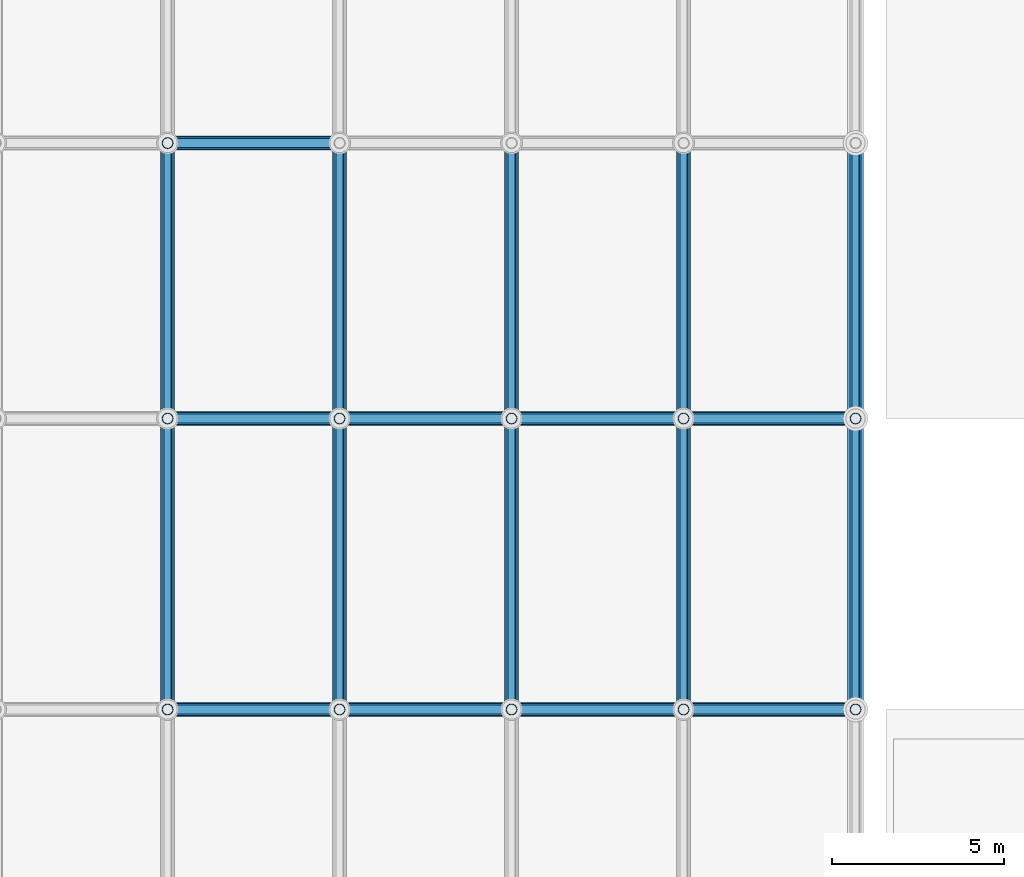
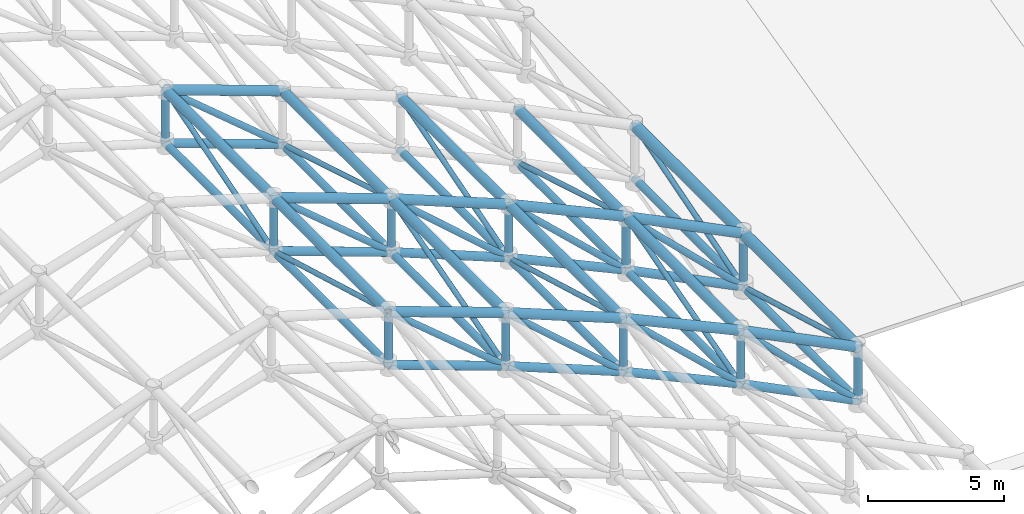
# One storey, part 7 of 11: 68 members.
"""IFC4 building model written with IfcOpenShell, lengths in metres."""

from ifc_helpers import new_model, si_unit, direction, frame, origin, origin_2d, place, context, subcontext, project, spatial, hollow_circle, extrude, material, material_profile, profile_set, type_object, element, save


model = new_model("IFC4")

# Units and contexts
model_context = context("Model", 3, precision=1e-05, world=origin(), true_north=direction((0.0, 1.0)))
body_context = subcontext(model_context, "Body", "Model", "MODEL_VIEW")
ifc_project = project(units=[si_unit("LENGTHUNIT", "METRE"), si_unit("AREAUNIT", "SQUARE_METRE"), si_unit("VOLUMEUNIT", "CUBIC_METRE"), si_unit("PLANEANGLEUNIT", "RADIAN"), si_unit("MASSUNIT", "GRAM", prefix="KILO")], contexts=[model_context])

# Site, building, storey
site_placement = place(None, origin())
site = spatial("IfcSite", under=ifc_project, at=site_placement, CompositionType="ELEMENT")
building_placement = place(site_placement, origin())
building = spatial("IfcBuilding", under=site, at=building_placement, Name="Kazehara Bluff Congress Hotel", CompositionType="ELEMENT")
storey_placement = place(building_placement, frame((0.0, 0.0, 50.39990234375)))
storey = spatial("IfcBuildingStorey", under=building, at=storey_placement, Name="RF", CompositionType="ELEMENT", Elevation=50.39990234375)

# Members
ifc_material_1 = material(Name="Steel STK490", Category="steel")
ifc_material_profile_1 = material_profile(ifc_material_1, hollow_circle(Radius=0.177734375, WallThickness=0.0126953125, at=origin_2d()))
ifc_profile_set_1 = profile_set([ifc_material_profile_1], Name="Steel STK490")
member_type_1 = type_object("IfcMemberType", Name="TP-SF-BC1", PredefinedType="CHORD", material=ifc_profile_set_1)
member_1_placement = place(storey_placement, frame((38.3701171875, 72.449951171875, -22.0), z_axis=(0.940788303939, 0.0, -0.338994641803), x_axis=(0.0, 1.0, 0.0)))
element("IfcMember", 1, at=member_1_placement, inside=storey, type_object=member_type_1, Name="Congress roof space frame bottom arch chord 74", PredefinedType="CHORD", context=body_context, shape_type="SweptSolid", body=[
    extrude(hollow_circle(Radius=0.177734375, WallThickness=0.0126953125, at=origin_2d()), origin(), (0.0, 0.0, 1.0), 5.309326171875),
])
member_2_placement = place(storey_placement, frame((43.364990234375, 72.449951171875, -23.7998046875), z_axis=(0.928351468575, 0.0, -0.371703579207), x_axis=(0.0, 1.0, 0.0)))
element("IfcMember", 2, at=member_2_placement, inside=storey, type_object=member_type_1, Name="Congress roof space frame bottom arch chord 76", PredefinedType="CHORD", context=body_context, shape_type="SweptSolid", body=[
    extrude(hollow_circle(Radius=0.177734375, WallThickness=0.0126953125, at=origin_2d()), origin(), (0.0, 0.0, 1.0), 5.380615234375),
])
member_3_placement = place(storey_placement, frame((48.360107421875, 72.449951171875, -25.7998046875), z_axis=(0.908324180475, 0.0, -0.41826688031), x_axis=(0.0, 1.0, 0.0)))
element("IfcMember", 3, at=member_3_placement, inside=storey, type_object=member_type_1, Name="Congress roof space frame bottom arch chord 78", PredefinedType="CHORD", context=body_context, shape_type="SweptSolid", body=[
    extrude(hollow_circle(Radius=0.177734375, WallThickness=0.0126953125, at=origin_2d()), origin(), (0.0, 0.0, 1.0), 5.4990234375),
])
member_4_placement = place(storey_placement, frame((53.35498046875, 72.449951171875, -28.099853515625), z_axis=(0.894252293271, 0.0, -0.447563220093), x_axis=(0.0, 1.0, 0.0)))
element("IfcMember", 4, at=member_4_placement, inside=storey, type_object=member_type_1, Name="Congress roof space frame bottom arch chord 80", PredefinedType="CHORD", context=body_context, shape_type="SweptSolid", body=[
    extrude(hollow_circle(Radius=0.177734375, WallThickness=0.0126953125, at=origin_2d()), origin(), (0.0, 0.0, 1.0), 5.585693359375),
])
member_5_placement = place(storey_placement, frame((38.3701171875, 80.89990234375, -22.0), z_axis=(0.940788303939, 0.0, -0.338994641803), x_axis=(0.0, 1.0, 0.0)))
element("IfcMember", 5, at=member_5_placement, inside=storey, type_object=member_type_1, Name="Congress roof space frame bottom arch chord 94", PredefinedType="CHORD", context=body_context, shape_type="SweptSolid", body=[
    extrude(hollow_circle(Radius=0.177734375, WallThickness=0.0126953125, at=origin_2d()), origin(), (0.0, 0.0, 1.0), 5.309326171875),
])
member_6_placement = place(storey_placement, frame((43.364990234375, 80.89990234375, -23.7998046875), z_axis=(0.928351468575, 0.0, -0.371703579207), x_axis=(0.0, 1.0, 0.0)))
element("IfcMember", 6, at=member_6_placement, inside=storey, type_object=member_type_1, Name="Congress roof space frame bottom arch chord 96", PredefinedType="CHORD", context=body_context, shape_type="SweptSolid", body=[
    extrude(hollow_circle(Radius=0.177734375, WallThickness=0.0126953125, at=origin_2d()), origin(), (0.0, 0.0, 1.0), 5.380615234375),
])
member_7_placement = place(storey_placement, frame((48.360107421875, 80.89990234375, -25.7998046875), z_axis=(0.908324180475, 0.0, -0.41826688031), x_axis=(0.0, 1.0, 0.0)))
element("IfcMember", 7, at=member_7_placement, inside=storey, type_object=member_type_1, Name="Congress roof space frame bottom arch chord 98", PredefinedType="CHORD", context=body_context, shape_type="SweptSolid", body=[
    extrude(hollow_circle(Radius=0.177734375, WallThickness=0.0126953125, at=origin_2d()), origin(), (0.0, 0.0, 1.0), 5.4990234375),
])
member_8_placement = place(storey_placement, frame((53.35498046875, 80.89990234375, -28.099853515625), z_axis=(0.894252293271, 0.0, -0.447563220093), x_axis=(0.0, 1.0, 0.0)))
element("IfcMember", 8, at=member_8_placement, inside=storey, type_object=member_type_1, Name="Congress roof space frame bottom arch chord 100", PredefinedType="CHORD", context=body_context, shape_type="SweptSolid", body=[
    extrude(hollow_circle(Radius=0.177734375, WallThickness=0.0126953125, at=origin_2d()), origin(), (0.0, 0.0, 1.0), 5.585693359375),
])
member_9_placement = place(storey_placement, frame((38.3701171875, 88.89990234375, -22.0), z_axis=(0.940788303939, 0.0, -0.338994641803), x_axis=(0.0, 1.0, 0.0)))
element("IfcMember", 9, at=member_9_placement, inside=storey, type_object=member_type_1, Name="Congress roof space frame bottom arch chord 114", PredefinedType="CHORD", context=body_context, shape_type="SweptSolid", body=[
    extrude(hollow_circle(Radius=0.177734375, WallThickness=0.0126953125, at=origin_2d()), origin(), (0.0, 0.0, 1.0), 5.309326171875),
])
ifc_material_2 = material(Name="Steel STK490", Category="steel")
ifc_material_profile_2 = material_profile(ifc_material_2, hollow_circle(Radius=0.1591796875, WallThickness=0.01025390625, at=origin_2d()))
ifc_profile_set_2 = profile_set([ifc_material_profile_2], Name="Steel STK490")
member_type_2 = type_object("IfcMemberType", Name="TP-SF-BC2", PredefinedType="CHORD", material=ifc_profile_set_2)
member_10_placement = place(storey_placement, frame((38.3701171875, 72.449951171875, -22.0), z_axis=(0.0, 1.0, 0.0), x_axis=(-1.0, 0.0, 0.0)))
element("IfcMember", 10, at=member_10_placement, inside=storey, type_object=member_type_2, Name="Congress roof space frame bottom longitudinal chord 284", PredefinedType="CHORD", context=body_context, shape_type="SweptSolid", body=[
    extrude(hollow_circle(Radius=0.1591796875, WallThickness=0.01025390625, at=origin_2d()), origin(), (0.0, 0.0, 1.0), 8.449951171875),
])
member_11_placement = place(storey_placement, frame((38.3701171875, 80.89990234375, -22.0), z_axis=(0.0, 1.0, 0.0), x_axis=(-1.0, 0.0, 0.0)))
element("IfcMember", 11, at=member_11_placement, inside=storey, type_object=member_type_2, Name="Congress roof space frame bottom longitudinal chord 286", PredefinedType="CHORD", context=body_context, shape_type="SweptSolid", body=[
    extrude(hollow_circle(Radius=0.1591796875, WallThickness=0.01025390625, at=origin_2d()), origin(), (0.0, 0.0, 1.0), 8.0),
])
member_12_placement = place(storey_placement, frame((43.364990234375, 72.449951171875, -23.7998046875), z_axis=(0.0, 1.0, 0.0), x_axis=(-1.0, 0.0, 0.0)))
element("IfcMember", 12, at=member_12_placement, inside=storey, type_object=member_type_2, Name="Congress roof space frame bottom longitudinal chord 300", PredefinedType="CHORD", context=body_context, shape_type="SweptSolid", body=[
    extrude(hollow_circle(Radius=0.1591796875, WallThickness=0.01025390625, at=origin_2d()), origin(), (0.0, 0.0, 1.0), 8.449951171875),
])
member_13_placement = place(storey_placement, frame((43.364990234375, 80.89990234375, -23.7998046875), z_axis=(0.0, 1.0, 0.0), x_axis=(-1.0, 0.0, 0.0)))
element("IfcMember", 13, at=member_13_placement, inside=storey, type_object=member_type_2, Name="Congress roof space frame bottom longitudinal chord 302", PredefinedType="CHORD", context=body_context, shape_type="SweptSolid", body=[
    extrude(hollow_circle(Radius=0.1591796875, WallThickness=0.01025390625, at=origin_2d()), origin(), (0.0, 0.0, 1.0), 8.0),
])
member_14_placement = place(storey_placement, frame((48.360107421875, 72.449951171875, -25.7998046875), z_axis=(0.0, 1.0, 0.0), x_axis=(-1.0, 0.0, 0.0)))
element("IfcMember", 14, at=member_14_placement, inside=storey, type_object=member_type_2, Name="Congress roof space frame bottom longitudinal chord 316", PredefinedType="CHORD", context=body_context, shape_type="SweptSolid", body=[
    extrude(hollow_circle(Radius=0.1591796875, WallThickness=0.01025390625, at=origin_2d()), origin(), (0.0, 0.0, 1.0), 8.449951171875),
])
member_15_placement = place(storey_placement, frame((48.360107421875, 80.89990234375, -25.7998046875), z_axis=(0.0, 1.0, 0.0), x_axis=(-1.0, 0.0, 0.0)))
element("IfcMember", 15, at=member_15_placement, inside=storey, type_object=member_type_2, Name="Congress roof space frame bottom longitudinal chord 318", PredefinedType="CHORD", context=body_context, shape_type="SweptSolid", body=[
    extrude(hollow_circle(Radius=0.1591796875, WallThickness=0.01025390625, at=origin_2d()), origin(), (0.0, 0.0, 1.0), 8.0),
])
member_16_placement = place(storey_placement, frame((53.35498046875, 72.449951171875, -28.099853515625), z_axis=(0.0, 1.0, 0.0), x_axis=(-1.0, 0.0, 0.0)))
element("IfcMember", 16, at=member_16_placement, inside=storey, type_object=member_type_2, Name="Congress roof space frame bottom longitudinal chord 332", PredefinedType="CHORD", context=body_context, shape_type="SweptSolid", body=[
    extrude(hollow_circle(Radius=0.1591796875, WallThickness=0.01025390625, at=origin_2d()), origin(), (0.0, 0.0, 1.0), 8.449951171875),
])
member_17_placement = place(storey_placement, frame((53.35498046875, 80.89990234375, -28.099853515625), z_axis=(0.0, 1.0, 0.0), x_axis=(-1.0, 0.0, 0.0)))
element("IfcMember", 17, at=member_17_placement, inside=storey, type_object=member_type_2, Name="Congress roof space frame bottom longitudinal chord 334", PredefinedType="CHORD", context=body_context, shape_type="SweptSolid", body=[
    extrude(hollow_circle(Radius=0.1591796875, WallThickness=0.01025390625, at=origin_2d()), origin(), (0.0, 0.0, 1.0), 8.0),
])
member_18_placement = place(storey_placement, frame((58.35009765625, 72.449951171875, -30.599853515625), z_axis=(0.0, 1.0, 0.0), x_axis=(-1.0, 0.0, 0.0)))
element("IfcMember", 18, at=member_18_placement, inside=storey, type_object=member_type_2, Name="Congress roof space frame bottom longitudinal chord 348", PredefinedType="CHORD", context=body_context, shape_type="SweptSolid", body=[
    extrude(hollow_circle(Radius=0.1591796875, WallThickness=0.01025390625, at=origin_2d()), origin(), (0.0, 0.0, 1.0), 8.449951171875),
])
member_19_placement = place(storey_placement, frame((58.35009765625, 80.89990234375, -30.599853515625), z_axis=(0.0, 1.0, 0.0), x_axis=(-1.0, 0.0, 0.0)))
element("IfcMember", 19, at=member_19_placement, inside=storey, type_object=member_type_2, Name="Congress roof space frame bottom longitudinal chord 350", PredefinedType="CHORD", context=body_context, shape_type="SweptSolid", body=[
    extrude(hollow_circle(Radius=0.1591796875, WallThickness=0.01025390625, at=origin_2d()), origin(), (0.0, 0.0, 1.0), 8.0),
])
ifc_material_3 = material(Name="Steel STK490", Category="steel")
ifc_material_profile_3 = material_profile(ifc_material_3, hollow_circle(Radius=0.1337890625, WallThickness=0.00927734375, at=origin_2d()))
ifc_profile_set_3 = profile_set([ifc_material_profile_3], Name="Steel STK490")
member_type_3 = type_object("IfcMemberType", Name="TP-SF-DG1", PredefinedType="BRACE", material=ifc_profile_set_3)
member_20_placement = place(storey_placement, frame((38.3701171875, 72.449951171875, -19.599853515625), z_axis=(0.765383445182, 0.0, -0.643574534799), x_axis=(0.0, 1.0, 0.0)))
element("IfcMember", 20, at=member_20_placement, inside=storey, type_object=member_type_3, Name="Congress roof space frame arch web diagonal 492", PredefinedType="BRACE", context=body_context, shape_type="SweptSolid", body=[
    extrude(hollow_circle(Radius=0.1337890625, WallThickness=0.00927734375, at=origin_2d()), origin(), (0.0, 0.0, 1.0), 6.52587890625),
])
member_21_placement = place(storey_placement, frame((43.364990234375, 72.449951171875, -21.39990234375), z_axis=(0.750400574845, 0.0, -0.660983341146), x_axis=(0.0, 1.0, 0.0)))
element("IfcMember", 21, at=member_21_placement, inside=storey, type_object=member_type_3, Name="Congress roof space frame arch web diagonal 493", PredefinedType="BRACE", context=body_context, shape_type="SweptSolid", body=[
    extrude(hollow_circle(Radius=0.1337890625, WallThickness=0.00927734375, at=origin_2d()), origin(), (0.0, 0.0, 1.0), 6.656494140625),
])
member_22_placement = place(storey_placement, frame((48.360107421875, 72.449951171875, -23.39990234375), z_axis=(0.728280456647, 0.0, -0.685279195997), x_axis=(0.0, 1.0, 0.0)))
element("IfcMember", 22, at=member_22_placement, inside=storey, type_object=member_type_3, Name="Congress roof space frame arch web diagonal 494", PredefinedType="BRACE", context=body_context, shape_type="SweptSolid", body=[
    extrude(hollow_circle(Radius=0.1337890625, WallThickness=0.00927734375, at=origin_2d()), origin(), (0.0, 0.0, 1.0), 6.8583984375),
])
member_23_placement = place(storey_placement, frame((53.35498046875, 72.449951171875, -25.699951171875), z_axis=(0.713877868379, 0.0, -0.700270225726), x_axis=(0.0, 1.0, 0.0)))
element("IfcMember", 23, at=member_23_placement, inside=storey, type_object=member_type_3, Name="Congress roof space frame arch web diagonal 495", PredefinedType="BRACE", context=body_context, shape_type="SweptSolid", body=[
    extrude(hollow_circle(Radius=0.1337890625, WallThickness=0.00927734375, at=origin_2d()), origin(), (0.0, 0.0, 1.0), 6.9970703125),
])
member_24_placement = place(storey_placement, frame((38.3701171875, 80.89990234375, -19.599853515625), z_axis=(0.765383445182, 0.0, -0.643574534799), x_axis=(0.0, 1.0, 0.0)))
element("IfcMember", 24, at=member_24_placement, inside=storey, type_object=member_type_3, Name="Congress roof space frame arch web diagonal 502", PredefinedType="BRACE", context=body_context, shape_type="SweptSolid", body=[
    extrude(hollow_circle(Radius=0.1337890625, WallThickness=0.00927734375, at=origin_2d()), origin(), (0.0, 0.0, 1.0), 6.52587890625),
])
member_25_placement = place(storey_placement, frame((43.364990234375, 80.89990234375, -21.39990234375), z_axis=(0.750400574845, 0.0, -0.660983341146), x_axis=(0.0, 1.0, 0.0)))
element("IfcMember", 25, at=member_25_placement, inside=storey, type_object=member_type_3, Name="Congress roof space frame arch web diagonal 503", PredefinedType="BRACE", context=body_context, shape_type="SweptSolid", body=[
    extrude(hollow_circle(Radius=0.1337890625, WallThickness=0.00927734375, at=origin_2d()), origin(), (0.0, 0.0, 1.0), 6.656494140625),
])
member_26_placement = place(storey_placement, frame((48.360107421875, 80.89990234375, -23.39990234375), z_axis=(0.728280456647, 0.0, -0.685279195997), x_axis=(0.0, 1.0, 0.0)))
element("IfcMember", 26, at=member_26_placement, inside=storey, type_object=member_type_3, Name="Congress roof space frame arch web diagonal 504", PredefinedType="BRACE", context=body_context, shape_type="SweptSolid", body=[
    extrude(hollow_circle(Radius=0.1337890625, WallThickness=0.00927734375, at=origin_2d()), origin(), (0.0, 0.0, 1.0), 6.8583984375),
])
member_27_placement = place(storey_placement, frame((53.35498046875, 80.89990234375, -25.699951171875), z_axis=(0.713877868379, 0.0, -0.700270225726), x_axis=(0.0, 1.0, 0.0)))
element("IfcMember", 27, at=member_27_placement, inside=storey, type_object=member_type_3, Name="Congress roof space frame arch web diagonal 505", PredefinedType="BRACE", context=body_context, shape_type="SweptSolid", body=[
    extrude(hollow_circle(Radius=0.1337890625, WallThickness=0.00927734375, at=origin_2d()), origin(), (0.0, 0.0, 1.0), 6.9970703125),
])
member_28_placement = place(storey_placement, frame((38.3701171875, 88.89990234375, -19.599853515625), z_axis=(0.765383445182, 0.0, -0.643574534799), x_axis=(0.0, 1.0, 0.0)))
element("IfcMember", 28, at=member_28_placement, inside=storey, type_object=member_type_3, Name="Congress roof space frame arch web diagonal 512", PredefinedType="BRACE", context=body_context, shape_type="SweptSolid", body=[
    extrude(hollow_circle(Radius=0.1337890625, WallThickness=0.00927734375, at=origin_2d()), origin(), (0.0, 0.0, 1.0), 6.52587890625),
])
ifc_material_4 = material(Name="Steel STK490", Category="steel")
ifc_material_profile_4 = material_profile(ifc_material_4, hollow_circle(Radius=0.108154296875, WallThickness=0.00830078125, at=origin_2d()))
ifc_profile_set_4 = profile_set([ifc_material_profile_4], Name="Steel STK490")
member_type_4 = type_object("IfcMemberType", Name="TP-SF-DG2", PredefinedType="BRACE", material=ifc_profile_set_4)
member_29_placement = place(storey_placement, frame((38.3701171875, 72.449951171875, -19.599853515625), z_axis=(0.0, 0.961947561052, -0.273234129979), x_axis=(-1.0, 0.0, 0.0)))
element("IfcMember", 29, at=member_29_placement, inside=storey, type_object=member_type_4, Name="Congress roof space frame transverse web diagonal 597", PredefinedType="BRACE", context=body_context, shape_type="SweptSolid", body=[
    extrude(hollow_circle(Radius=0.108154296875, WallThickness=0.00830078125, at=origin_2d()), origin(), (0.0, 0.0, 1.0), 8.7841796875),
])
member_30_placement = place(storey_placement, frame((38.3701171875, 80.89990234375, -22.0), z_axis=(0.0, 0.957821458049, 0.287363975649), x_axis=(-1.0, 0.0, 0.0)))
element("IfcMember", 30, at=member_30_placement, inside=storey, type_object=member_type_4, Name="Congress roof space frame transverse web diagonal 598", PredefinedType="BRACE", context=body_context, shape_type="SweptSolid", body=[
    extrude(hollow_circle(Radius=0.108154296875, WallThickness=0.00830078125, at=origin_2d()), origin(), (0.0, 0.0, 1.0), 8.352294921875),
])
member_31_placement = place(storey_placement, frame((43.364990234375, 72.449951171875, -23.7998046875), z_axis=(0.0, 0.961954865821, 0.273208411517), x_axis=(-1.0, 0.0, 0.0)))
element("IfcMember", 31, at=member_31_placement, inside=storey, type_object=member_type_4, Name="Congress roof space frame transverse web diagonal 605", PredefinedType="BRACE", context=body_context, shape_type="SweptSolid", body=[
    extrude(hollow_circle(Radius=0.108154296875, WallThickness=0.00830078125, at=origin_2d()), origin(), (0.0, 0.0, 1.0), 8.7841796875),
])
member_32_placement = place(storey_placement, frame((43.364990234375, 80.89990234375, -21.39990234375), z_axis=(0.0, 0.957829503213, -0.287337158709), x_axis=(-1.0, 0.0, 0.0)))
element("IfcMember", 32, at=member_32_placement, inside=storey, type_object=member_type_4, Name="Congress roof space frame transverse web diagonal 606", PredefinedType="BRACE", context=body_context, shape_type="SweptSolid", body=[
    extrude(hollow_circle(Radius=0.108154296875, WallThickness=0.00830078125, at=origin_2d()), origin(), (0.0, 0.0, 1.0), 8.352294921875),
])
member_33_placement = place(storey_placement, frame((48.360107421875, 72.449951171875, -23.39990234375), z_axis=(0.0, 0.961954865821, -0.273208411517), x_axis=(-1.0, 0.0, 0.0)))
element("IfcMember", 33, at=member_33_placement, inside=storey, type_object=member_type_4, Name="Congress roof space frame transverse web diagonal 613", PredefinedType="BRACE", context=body_context, shape_type="SweptSolid", body=[
    extrude(hollow_circle(Radius=0.108154296875, WallThickness=0.00830078125, at=origin_2d()), origin(), (0.0, 0.0, 1.0), 8.7841796875),
])
member_34_placement = place(storey_placement, frame((48.360107421875, 80.89990234375, -25.7998046875), z_axis=(0.0, 0.957829503213, 0.287337158709), x_axis=(-1.0, 0.0, 0.0)))
element("IfcMember", 34, at=member_34_placement, inside=storey, type_object=member_type_4, Name="Congress roof space frame transverse web diagonal 614", PredefinedType="BRACE", context=body_context, shape_type="SweptSolid", body=[
    extrude(hollow_circle(Radius=0.108154296875, WallThickness=0.00830078125, at=origin_2d()), origin(), (0.0, 0.0, 1.0), 8.352294921875),
])
member_35_placement = place(storey_placement, frame((53.35498046875, 72.449951171875, -28.099853515625), z_axis=(0.0, 0.961954865821, 0.273208411517), x_axis=(-1.0, 0.0, 0.0)))
element("IfcMember", 35, at=member_35_placement, inside=storey, type_object=member_type_4, Name="Congress roof space frame transverse web diagonal 621", PredefinedType="BRACE", context=body_context, shape_type="SweptSolid", body=[
    extrude(hollow_circle(Radius=0.108154296875, WallThickness=0.00830078125, at=origin_2d()), origin(), (0.0, 0.0, 1.0), 8.7841796875),
])
member_36_placement = place(storey_placement, frame((53.35498046875, 80.89990234375, -25.699951171875), z_axis=(0.0, 0.957829503213, -0.287337158709), x_axis=(-1.0, 0.0, 0.0)))
element("IfcMember", 36, at=member_36_placement, inside=storey, type_object=member_type_4, Name="Congress roof space frame transverse web diagonal 622", PredefinedType="BRACE", context=body_context, shape_type="SweptSolid", body=[
    extrude(hollow_circle(Radius=0.108154296875, WallThickness=0.00830078125, at=origin_2d()), origin(), (0.0, 0.0, 1.0), 8.352294921875),
])
member_37_placement = place(storey_placement, frame((58.35009765625, 72.449951171875, -28.199951171875), z_axis=(0.0, 0.961954865821, -0.273208411517), x_axis=(-1.0, 0.0, 0.0)))
element("IfcMember", 37, at=member_37_placement, inside=storey, type_object=member_type_4, Name="Congress roof space frame transverse web diagonal 629", PredefinedType="BRACE", context=body_context, shape_type="SweptSolid", body=[
    extrude(hollow_circle(Radius=0.108154296875, WallThickness=0.00830078125, at=origin_2d()), origin(), (0.0, 0.0, 1.0), 8.7841796875),
])
member_38_placement = place(storey_placement, frame((58.35009765625, 80.89990234375, -30.599853515625), z_axis=(0.0, 0.957829503213, 0.287337158709), x_axis=(-1.0, 0.0, 0.0)))
element("IfcMember", 38, at=member_38_placement, inside=storey, type_object=member_type_4, Name="Congress roof space frame transverse web diagonal 630", PredefinedType="BRACE", context=body_context, shape_type="SweptSolid", body=[
    extrude(hollow_circle(Radius=0.108154296875, WallThickness=0.00830078125, at=origin_2d()), origin(), (0.0, 0.0, 1.0), 8.352294921875),
])
ifc_material_5 = material(Name="Steel STK490", Category="steel")
ifc_material_profile_5 = material_profile(ifc_material_5, hollow_circle(Radius=0.1591796875, WallThickness=0.01025390625, at=origin_2d()))
ifc_profile_set_5 = profile_set([ifc_material_profile_5], Name="Steel STK490")
member_type_5 = type_object("IfcMemberType", Name="TP-SF-PS1", PredefinedType="POST", material=ifc_profile_set_5)
for number, where, z_axis, x_axis, name in (
    (39, (38.3701171875, 72.449951171875, -22.0), (0.0, 0.0, 1.0), (1.0, 0.0, 0.0), "Congress roof space frame vertical post 414"),
    (40, (38.3701171875, 80.89990234375, -22.0), (0.0, 0.0, 1.0), (1.0, 0.0, 0.0), "Congress roof space frame vertical post 415"),
    (41, (38.3701171875, 88.89990234375, -22.0), (0.0, 0.0, 1.0), (1.0, 0.0, 0.0), "Congress roof space frame vertical post 416"),
):
    element("IfcMember", number, at=place(storey_placement, frame(where, z_axis=z_axis, x_axis=x_axis)), inside=storey, type_object=member_type_5, Name=name, PredefinedType="POST", context=body_context, shape_type="SweptSolid", body=[
        extrude(hollow_circle(Radius=0.1591796875, WallThickness=0.01025390625, at=origin_2d()), origin(), (0.0, 0.0, 1.0), 2.400146484375),
    ])
for number, where, z_axis, x_axis, name in (
    (42, (43.364990234375, 72.449951171875, -23.7998046875), (0.0, 0.0, 1.0), (1.0, 0.0, 0.0), "Congress roof space frame vertical post 423"),
    (43, (43.364990234375, 80.89990234375, -23.7998046875), (0.0, 0.0, 1.0), (1.0, 0.0, 0.0), "Congress roof space frame vertical post 424"),
    (44, (48.360107421875, 72.449951171875, -25.7998046875), (0.0, 0.0, 1.0), (1.0, 0.0, 0.0), "Congress roof space frame vertical post 432"),
    (45, (48.360107421875, 80.89990234375, -25.7998046875), (0.0, 0.0, 1.0), (1.0, 0.0, 0.0), "Congress roof space frame vertical post 433"),
    (46, (53.35498046875, 72.449951171875, -28.099853515625), (0.0, 0.0, 1.0), (1.0, 0.0, 0.0), "Congress roof space frame vertical post 441"),
    (47, (53.35498046875, 80.89990234375, -28.099853515625), (0.0, 0.0, 1.0), (1.0, 0.0, 0.0), "Congress roof space frame vertical post 442"),
    (48, (58.35009765625, 72.449951171875, -30.599853515625), (0.0, 0.0, 1.0), (1.0, 0.0, 0.0), "Congress roof space frame vertical post 450"),
    (49, (58.35009765625, 80.89990234375, -30.599853515625), (0.0, 0.0, 1.0), (1.0, 0.0, 0.0), "Congress roof space frame vertical post 451"),
):
    element("IfcMember", number, at=place(storey_placement, frame(where, z_axis=z_axis, x_axis=x_axis)), inside=storey, type_object=member_type_5, Name=name, PredefinedType="POST", context=body_context, shape_type="SweptSolid", body=[
        extrude(hollow_circle(Radius=0.1591796875, WallThickness=0.01025390625, at=origin_2d()), origin(), (0.0, 0.0, 1.0), 2.39990234375),
    ])
ifc_material_6 = material(Name="Steel STK490", Category="steel")
ifc_material_profile_6 = material_profile(ifc_material_6, hollow_circle(Radius=0.203125, WallThickness=0.0126953125, at=origin_2d()))
ifc_profile_set_6 = profile_set([ifc_material_profile_6], Name="Steel STK490")
member_type_6 = type_object("IfcMemberType", Name="TP-SF-TC1", PredefinedType="CHORD", material=ifc_profile_set_6)
member_39_placement = place(storey_placement, frame((38.3701171875, 72.449951171875, -19.599853515625), z_axis=(0.940773637944, 0.0, -0.339035340562), x_axis=(0.0, 1.0, 0.0)))
element("IfcMember", 50, at=member_39_placement, inside=storey, type_object=member_type_6, Name="Congress roof space frame top arch chord 73", PredefinedType="CHORD", context=body_context, shape_type="SweptSolid", body=[
    extrude(hollow_circle(Radius=0.203125, WallThickness=0.0126953125, at=origin_2d()), origin(), (0.0, 0.0, 1.0), 5.309326171875),
])
member_40_placement = place(storey_placement, frame((43.364990234375, 72.449951171875, -21.39990234375), z_axis=(0.928351468575, 0.0, -0.371703579207), x_axis=(0.0, 1.0, 0.0)))
element("IfcMember", 51, at=member_40_placement, inside=storey, type_object=member_type_6, Name="Congress roof space frame top arch chord 75", PredefinedType="CHORD", context=body_context, shape_type="SweptSolid", body=[
    extrude(hollow_circle(Radius=0.203125, WallThickness=0.0126953125, at=origin_2d()), origin(), (0.0, 0.0, 1.0), 5.380615234375),
])
member_41_placement = place(storey_placement, frame((48.360107421875, 72.449951171875, -23.39990234375), z_axis=(0.908324180475, 0.0, -0.41826688031), x_axis=(0.0, 1.0, 0.0)))
element("IfcMember", 52, at=member_41_placement, inside=storey, type_object=member_type_6, Name="Congress roof space frame top arch chord 77", PredefinedType="CHORD", context=body_context, shape_type="SweptSolid", body=[
    extrude(hollow_circle(Radius=0.203125, WallThickness=0.0126953125, at=origin_2d()), origin(), (0.0, 0.0, 1.0), 5.4990234375),
])
member_42_placement = place(storey_placement, frame((53.35498046875, 72.449951171875, -25.699951171875), z_axis=(0.894252293271, 0.0, -0.447563220093), x_axis=(0.0, 1.0, 0.0)))
element("IfcMember", 53, at=member_42_placement, inside=storey, type_object=member_type_6, Name="Congress roof space frame top arch chord 79", PredefinedType="CHORD", context=body_context, shape_type="SweptSolid", body=[
    extrude(hollow_circle(Radius=0.203125, WallThickness=0.0126953125, at=origin_2d()), origin(), (0.0, 0.0, 1.0), 5.585693359375),
])
member_43_placement = place(storey_placement, frame((38.3701171875, 80.89990234375, -19.599853515625), z_axis=(0.940773637944, 0.0, -0.339035340562), x_axis=(0.0, 1.0, 0.0)))
element("IfcMember", 54, at=member_43_placement, inside=storey, type_object=member_type_6, Name="Congress roof space frame top arch chord 93", PredefinedType="CHORD", context=body_context, shape_type="SweptSolid", body=[
    extrude(hollow_circle(Radius=0.203125, WallThickness=0.0126953125, at=origin_2d()), origin(), (0.0, 0.0, 1.0), 5.309326171875),
])
member_44_placement = place(storey_placement, frame((43.364990234375, 80.89990234375, -21.39990234375), z_axis=(0.928351468575, 0.0, -0.371703579207), x_axis=(0.0, 1.0, 0.0)))
element("IfcMember", 55, at=member_44_placement, inside=storey, type_object=member_type_6, Name="Congress roof space frame top arch chord 95", PredefinedType="CHORD", context=body_context, shape_type="SweptSolid", body=[
    extrude(hollow_circle(Radius=0.203125, WallThickness=0.0126953125, at=origin_2d()), origin(), (0.0, 0.0, 1.0), 5.380615234375),
])
member_45_placement = place(storey_placement, frame((48.360107421875, 80.89990234375, -23.39990234375), z_axis=(0.908324180475, 0.0, -0.41826688031), x_axis=(0.0, 1.0, 0.0)))
element("IfcMember", 56, at=member_45_placement, inside=storey, type_object=member_type_6, Name="Congress roof space frame top arch chord 97", PredefinedType="CHORD", context=body_context, shape_type="SweptSolid", body=[
    extrude(hollow_circle(Radius=0.203125, WallThickness=0.0126953125, at=origin_2d()), origin(), (0.0, 0.0, 1.0), 5.4990234375),
])
member_46_placement = place(storey_placement, frame((53.35498046875, 80.89990234375, -25.699951171875), z_axis=(0.894252293271, 0.0, -0.447563220093), x_axis=(0.0, 1.0, 0.0)))
element("IfcMember", 57, at=member_46_placement, inside=storey, type_object=member_type_6, Name="Congress roof space frame top arch chord 99", PredefinedType="CHORD", context=body_context, shape_type="SweptSolid", body=[
    extrude(hollow_circle(Radius=0.203125, WallThickness=0.0126953125, at=origin_2d()), origin(), (0.0, 0.0, 1.0), 5.585693359375),
])
member_47_placement = place(storey_placement, frame((38.3701171875, 88.89990234375, -19.599853515625), z_axis=(0.940773637944, 0.0, -0.339035340562), x_axis=(0.0, 1.0, 0.0)))
element("IfcMember", 58, at=member_47_placement, inside=storey, type_object=member_type_6, Name="Congress roof space frame top arch chord 113", PredefinedType="CHORD", context=body_context, shape_type="SweptSolid", body=[
    extrude(hollow_circle(Radius=0.203125, WallThickness=0.0126953125, at=origin_2d()), origin(), (0.0, 0.0, 1.0), 5.309326171875),
])
member_48_placement = place(storey_placement, frame((38.3701171875, 72.449951171875, -19.599853515625), z_axis=(0.0, 1.0, 0.0), x_axis=(-1.0, 0.0, 0.0)))
element("IfcMember", 59, at=member_48_placement, inside=storey, type_object=member_type_6, Name="Congress roof space frame top longitudinal chord 283", PredefinedType="CHORD", context=body_context, shape_type="SweptSolid", body=[
    extrude(hollow_circle(Radius=0.203125, WallThickness=0.0126953125, at=origin_2d()), origin(), (0.0, 0.0, 1.0), 8.449951171875),
])
member_49_placement = place(storey_placement, frame((38.3701171875, 80.89990234375, -19.599853515625), z_axis=(0.0, 1.0, 0.0), x_axis=(-1.0, 0.0, 0.0)))
element("IfcMember", 60, at=member_49_placement, inside=storey, type_object=member_type_6, Name="Congress roof space frame top longitudinal chord 285", PredefinedType="CHORD", context=body_context, shape_type="SweptSolid", body=[
    extrude(hollow_circle(Radius=0.203125, WallThickness=0.0126953125, at=origin_2d()), origin(), (0.0, 0.0, 1.0), 8.0),
])
member_50_placement = place(storey_placement, frame((43.364990234375, 72.449951171875, -21.39990234375), z_axis=(0.0, 1.0, 0.0), x_axis=(-1.0, 0.0, 0.0)))
element("IfcMember", 61, at=member_50_placement, inside=storey, type_object=member_type_6, Name="Congress roof space frame top longitudinal chord 299", PredefinedType="CHORD", context=body_context, shape_type="SweptSolid", body=[
    extrude(hollow_circle(Radius=0.203125, WallThickness=0.0126953125, at=origin_2d()), origin(), (0.0, 0.0, 1.0), 8.449951171875),
])
member_51_placement = place(storey_placement, frame((43.364990234375, 80.89990234375, -21.39990234375), z_axis=(0.0, 1.0, 0.0), x_axis=(-1.0, 0.0, 0.0)))
element("IfcMember", 62, at=member_51_placement, inside=storey, type_object=member_type_6, Name="Congress roof space frame top longitudinal chord 301", PredefinedType="CHORD", context=body_context, shape_type="SweptSolid", body=[
    extrude(hollow_circle(Radius=0.203125, WallThickness=0.0126953125, at=origin_2d()), origin(), (0.0, 0.0, 1.0), 8.0),
])
member_52_placement = place(storey_placement, frame((48.360107421875, 72.449951171875, -23.39990234375), z_axis=(0.0, 1.0, 0.0), x_axis=(-1.0, 0.0, 0.0)))
element("IfcMember", 63, at=member_52_placement, inside=storey, type_object=member_type_6, Name="Congress roof space frame top longitudinal chord 315", PredefinedType="CHORD", context=body_context, shape_type="SweptSolid", body=[
    extrude(hollow_circle(Radius=0.203125, WallThickness=0.0126953125, at=origin_2d()), origin(), (0.0, 0.0, 1.0), 8.449951171875),
])
member_53_placement = place(storey_placement, frame((48.360107421875, 80.89990234375, -23.39990234375), z_axis=(0.0, 1.0, 0.0), x_axis=(-1.0, 0.0, 0.0)))
element("IfcMember", 64, at=member_53_placement, inside=storey, type_object=member_type_6, Name="Congress roof space frame top longitudinal chord 317", PredefinedType="CHORD", context=body_context, shape_type="SweptSolid", body=[
    extrude(hollow_circle(Radius=0.203125, WallThickness=0.0126953125, at=origin_2d()), origin(), (0.0, 0.0, 1.0), 8.0),
])
member_54_placement = place(storey_placement, frame((53.35498046875, 72.449951171875, -25.699951171875), z_axis=(0.0, 1.0, 0.0), x_axis=(-1.0, 0.0, 0.0)))
element("IfcMember", 65, at=member_54_placement, inside=storey, type_object=member_type_6, Name="Congress roof space frame top longitudinal chord 331", PredefinedType="CHORD", context=body_context, shape_type="SweptSolid", body=[
    extrude(hollow_circle(Radius=0.203125, WallThickness=0.0126953125, at=origin_2d()), origin(), (0.0, 0.0, 1.0), 8.449951171875),
])
member_55_placement = place(storey_placement, frame((53.35498046875, 80.89990234375, -25.699951171875), z_axis=(0.0, 1.0, 0.0), x_axis=(-1.0, 0.0, 0.0)))
element("IfcMember", 66, at=member_55_placement, inside=storey, type_object=member_type_6, Name="Congress roof space frame top longitudinal chord 333", PredefinedType="CHORD", context=body_context, shape_type="SweptSolid", body=[
    extrude(hollow_circle(Radius=0.203125, WallThickness=0.0126953125, at=origin_2d()), origin(), (0.0, 0.0, 1.0), 8.0),
])
ifc_material_7 = material(Name="Steel STK490", Category="steel")
ifc_material_profile_7 = material_profile(ifc_material_7, hollow_circle(Radius=0.228515625, WallThickness=0.013916015625, at=origin_2d()))
ifc_profile_set_7 = profile_set([ifc_material_profile_7], Name="Steel STK490")
member_type_7 = type_object("IfcMemberType", Name="TP-SF-TC2", PredefinedType="CHORD", material=ifc_profile_set_7)
member_56_placement = place(storey_placement, frame((58.35009765625, 72.449951171875, -28.199951171875), z_axis=(0.0, 1.0, 0.0), x_axis=(-1.0, 0.0, 0.0)))
element("IfcMember", 67, at=member_56_placement, inside=storey, type_object=member_type_7, Name="Congress roof space frame top longitudinal chord 347", PredefinedType="CHORD", context=body_context, shape_type="SweptSolid", body=[
    extrude(hollow_circle(Radius=0.228515625, WallThickness=0.013916015625, at=origin_2d()), origin(), (0.0, 0.0, 1.0), 8.449951171875),
])
member_57_placement = place(storey_placement, frame((58.35009765625, 80.89990234375, -28.199951171875), z_axis=(0.0, 1.0, 0.0), x_axis=(-1.0, 0.0, 0.0)))
element("IfcMember", 68, at=member_57_placement, inside=storey, type_object=member_type_7, Name="Congress roof space frame top longitudinal chord 349", PredefinedType="CHORD", context=body_context, shape_type="SweptSolid", body=[
    extrude(hollow_circle(Radius=0.228515625, WallThickness=0.013916015625, at=origin_2d()), origin(), (0.0, 0.0, 1.0), 8.0),
])

save(model, "model.ifc")
